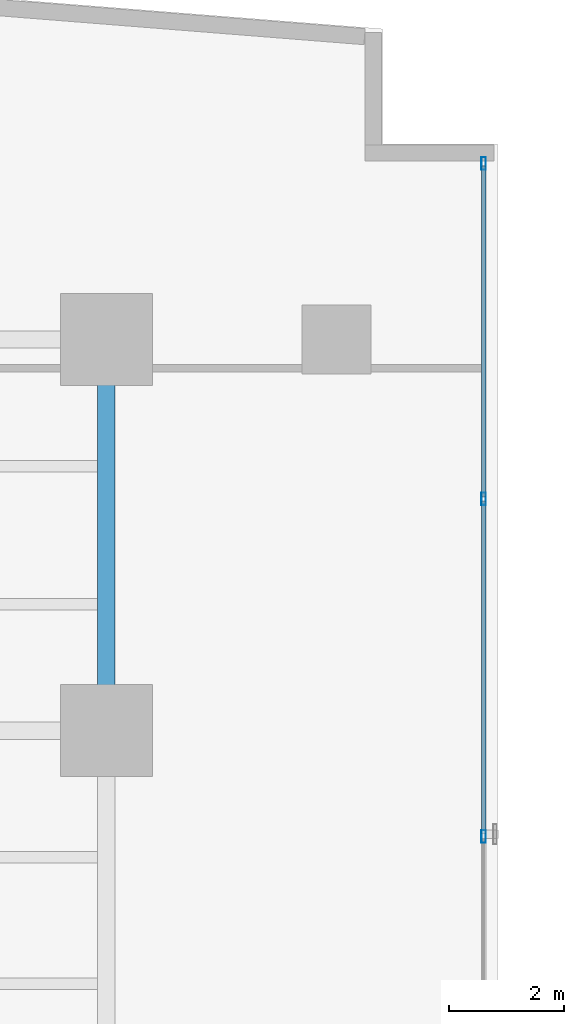
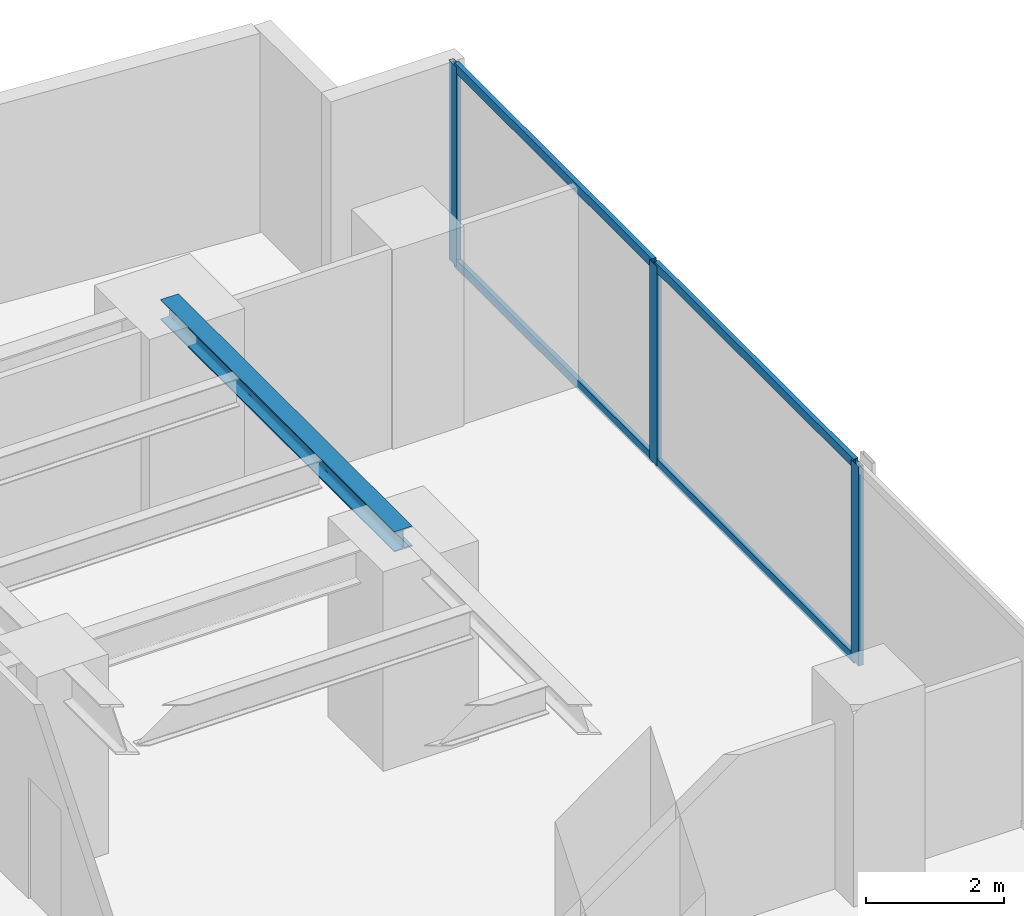
# One storey, part 19 of 28: 7 members, 1 beam, 1 element without a shape of its own.
"""IFC4 building model written with IfcOpenShell, lengths in metres."""

from ifc_helpers import new_model, si_unit, direction, frame, origin, origin_with_axes, origin_2d, place, context, subcontext, project, spatial, hollow_rectangle, i_section, extrude, source, transform, mapped, material, layer, layer_set, material_profile, profile_set, type_object, element, aggregate, save


model = new_model("IFC4")

# Units and contexts
model_context = context("Model", 3, precision=1e-05, world=origin(), true_north=direction((0.0, 1.0)))
body_context = subcontext(model_context, "Body", "Model", "MODEL_VIEW")
ifc_project = project(units=[si_unit("LENGTHUNIT", "METRE"), si_unit("AREAUNIT", "SQUARE_METRE"), si_unit("VOLUMEUNIT", "CUBIC_METRE"), si_unit("PLANEANGLEUNIT", "RADIAN"), si_unit("MASSUNIT", "GRAM", prefix="KILO")], contexts=[model_context])

# Site, building, storey
site_placement = place(None, origin())
site = spatial("IfcSite", under=ifc_project, at=site_placement, CompositionType="ELEMENT")
building_placement = place(site_placement, origin())
building = spatial("IfcBuilding", under=site, at=building_placement, Name="Kolvaren Waterfront Exchange", CompositionType="ELEMENT")
storey_placement = place(building_placement, frame((0.0, 0.0, 41.0)))
storey = spatial("IfcBuildingStorey", under=building, at=storey_placement, Name="L10", CompositionType="ELEMENT", Elevation=41.0)

# Beam
ifc_material_1 = material(Name="Steel S355", Category="steel")
ifc_material_profile_1 = material_profile(ifc_material_1, i_section(OverallWidth=0.300048828125, OverallDepth=0.360107421875, WebThickness=0.012451171875, FlangeThickness=0.0224609375, FilletRadius=0.027099609375, at=origin_2d()), Name="HEB360")
ifc_profile_set_1 = profile_set([ifc_material_profile_1], Name="Steel S355")
beam_type = type_object("IfcBeamType", Name="STR-BM-HEB360", PredefinedType="SPANDREL", material=ifc_profile_set_1)
beam_placement = place(storey_placement, frame((18.800048828125, 37.800048828125, 3.360107421875), z_axis=(0.0, 1.0, 0.0), x_axis=(-1.0, 0.0, 0.0)))
element("IfcBeam", 1, at=beam_placement, inside=storey, type_object=beam_type, Name="L10 north-arm edge beam 3", PredefinedType="SPANDREL", context=body_context, shape_type="SweptSolid", body=[
    extrude(i_section(OverallWidth=0.300048828125, OverallDepth=0.360107421875, WebThickness=0.012451171875, FlangeThickness=0.0224609375, FilletRadius=0.027099609375, at=origin_2d()), origin(), (0.0, 0.0, 1.0), 6.800048828125),
])

# Curtain wall, members
ifc_material_2 = material(Name="Anodised bronze aluminium 6063-T6", Category="aluminium")
ifc_layer = layer(ifc_material_2, 0.219970703125, Name="Anodised bronze aluminium 6063-T6")
ifc_layer_set = layer_set([ifc_layer], Name="Anodised bronze aluminium 6063-T6")
curtain_wall_type = type_object("IfcCurtainWallType", Name="ARC-CW-SYS1", PredefinedType="USERDEFINED", material=ifc_layer_set)
curtain_wall_placement = place(storey_placement, origin())
curtain_wall = element("IfcCurtainWall", 2, at=curtain_wall_placement, inside=storey, type_object=curtain_wall_type, Name="L10 stick curtain wall CW1 (CW-L10-NE)", ObjectType="STICK CURTAIN WALL", PredefinedType="USERDEFINED")
ifc_material_3 = material(Name="Anodised aluminium 6063-T6", Category="aluminium")
ifc_material_profile_2 = material_profile(ifc_material_3, hollow_rectangle(XDim=0.074951171875, YDim=0.159912109375, WallThickness=0.00439453125, at=origin_2d()), Name="ALU-TRN-160x75x4.5")
ifc_profile_set_2 = profile_set([ifc_material_profile_2], Name="Anodised aluminium 6063-T6")
member_type_1 = type_object("IfcMemberType", Name="ARC-CWT-160", PredefinedType="USERDEFINED", material=ifc_profile_set_2)
shared_shape_1 = source(origin_with_axes(), body_context, "Body", "SweptSolid", [
    extrude(hollow_rectangle(XDim=0.074951171875, YDim=0.159912109375, WallThickness=0.00439453125, at=origin_2d()), origin(), (0.0, 0.0, 1.0), 5.75),
])
member_1_placement = place(storey_placement, frame((25.360107421875, 41.8701171875, 0.03759765625), z_axis=(0.0, 1.0, 0.0), x_axis=(-1.0, 0.0, 0.0)))
member_1 = element("IfcMember", 3, at=member_1_placement, type_object=member_type_1, Name="CW1 transom 3.1", ObjectType="TRANSOM", PredefinedType="USERDEFINED", context=body_context, shape_type="MappedRepresentation", body=[
    mapped(shared_shape_1, transform((0.0, 0.0, 0.0), x_axis=(1.0, 0.0, 0.0), y_axis=(0.0, 1.0, 0.0), z_axis=(0.0, 0.0, 1.0), scale=1.0)),
])
member_2_placement = place(storey_placement, frame((25.360107421875, 41.8701171875, 3.50244140625), z_axis=(0.0, 1.0, 0.0), x_axis=(-1.0, 0.0, 0.0)))
member_2 = element("IfcMember", 4, at=member_2_placement, type_object=member_type_1, Name="CW1 transom 3.2", ObjectType="TRANSOM", PredefinedType="USERDEFINED", context=body_context, shape_type="MappedRepresentation", body=[
    mapped(shared_shape_1, transform((0.0, 0.0, 0.0), x_axis=(1.0, 0.0, 0.0), y_axis=(0.0, 1.0, 0.0), z_axis=(0.0, 0.0, 1.0), scale=1.0)),
])
shared_shape_2 = source(origin_with_axes(), body_context, "Body", "SweptSolid", [
    extrude(hollow_rectangle(XDim=0.074951171875, YDim=0.159912109375, WallThickness=0.00439453125, at=origin_2d()), origin(), (0.0, 0.0, 1.0), 5.7900390625),
])
member_3_placement = place(storey_placement, frame((25.360107421875, 36.0, 0.03759765625), z_axis=(0.0, 1.0, 0.0), x_axis=(-1.0, 0.0, 0.0)))
member_3 = element("IfcMember", 5, at=member_3_placement, type_object=member_type_1, Name="CW1 transom 2.1", ObjectType="TRANSOM", PredefinedType="USERDEFINED", context=body_context, shape_type="MappedRepresentation", body=[
    mapped(shared_shape_2, transform((0.0, 0.0, 0.0), x_axis=(1.0, 0.0, 0.0), y_axis=(0.0, 1.0, 0.0), z_axis=(0.0, 0.0, 1.0), scale=1.0)),
])
member_4_placement = place(storey_placement, frame((25.360107421875, 36.0, 3.50244140625), z_axis=(0.0, 1.0, 0.0), x_axis=(-1.0, 0.0, 0.0)))
member_4 = element("IfcMember", 6, at=member_4_placement, type_object=member_type_1, Name="CW1 transom 2.2", ObjectType="TRANSOM", PredefinedType="USERDEFINED", context=body_context, shape_type="MappedRepresentation", body=[
    mapped(shared_shape_2, transform((0.0, 0.0, 0.0), x_axis=(1.0, 0.0, 0.0), y_axis=(0.0, 1.0, 0.0), z_axis=(0.0, 0.0, 1.0), scale=1.0)),
])
ifc_material_profile_3 = material_profile(ifc_material_3, hollow_rectangle(XDim=0.080078125, YDim=0.219970703125, WallThickness=0.0048828125, at=origin_2d()), Name="ALU-MUL-220x80x5")
ifc_profile_set_3 = profile_set([ifc_material_profile_3], Name="Anodised aluminium 6063-T6")
member_type_2 = type_object("IfcMemberType", Name="ARC-CWM-220", PredefinedType="MULLION", material=ifc_profile_set_3)
shared_shape_3 = source(origin_with_axes(), body_context, "Body", "SweptSolid", [
    extrude(hollow_rectangle(XDim=0.080078125, YDim=0.219970703125, WallThickness=0.0048828125, at=origin_2d()), origin(), (0.0, 0.0, 1.0), 3.5400390625),
])
member_5_placement = place(storey_placement, frame((25.360107421875, 35.9599609375, 0.0), z_axis=(0.0, 0.0, 1.0), x_axis=(-1.0, 0.0, 0.0)))
member_5 = element("IfcMember", 7, at=member_5_placement, type_object=member_type_2, Name="CW1 mullion 2", PredefinedType="MULLION", context=body_context, shape_type="MappedRepresentation", body=[
    mapped(shared_shape_3, transform((0.0, 0.0, 0.0), x_axis=(1.0, 0.0, 0.0), y_axis=(0.0, 1.0, 0.0), z_axis=(0.0, 0.0, 1.0), scale=1.0)),
])
member_6_placement = place(storey_placement, frame((25.360107421875, 41.830078125, 0.0), z_axis=(0.0, 0.0, 1.0), x_axis=(-1.0, 0.0, 0.0)))
member_6 = element("IfcMember", 8, at=member_6_placement, type_object=member_type_2, Name="CW1 mullion 3", PredefinedType="MULLION", context=body_context, shape_type="MappedRepresentation", body=[
    mapped(shared_shape_3, transform((0.0, 0.0, 0.0), x_axis=(1.0, 0.0, 0.0), y_axis=(0.0, 1.0, 0.0), z_axis=(0.0, 0.0, 1.0), scale=1.0)),
])
member_7_placement = place(storey_placement, frame((25.360107421875, 47.659912109375, 0.0), z_axis=(0.0, 0.0, 1.0), x_axis=(-1.0, 0.0, 0.0)))
member_7 = element("IfcMember", 9, at=member_7_placement, type_object=member_type_2, Name="CW1 mullion 4", PredefinedType="MULLION", context=body_context, shape_type="MappedRepresentation", body=[
    mapped(shared_shape_3, transform((0.0, 0.0, 0.0), x_axis=(1.0, 0.0, 0.0), y_axis=(0.0, 1.0, 0.0), z_axis=(0.0, 0.0, 1.0), scale=1.0)),
])
aggregate(curtain_wall, [member_5, member_6, member_7, member_3, member_4, member_1, member_2])

save(model, "model.ifc")
